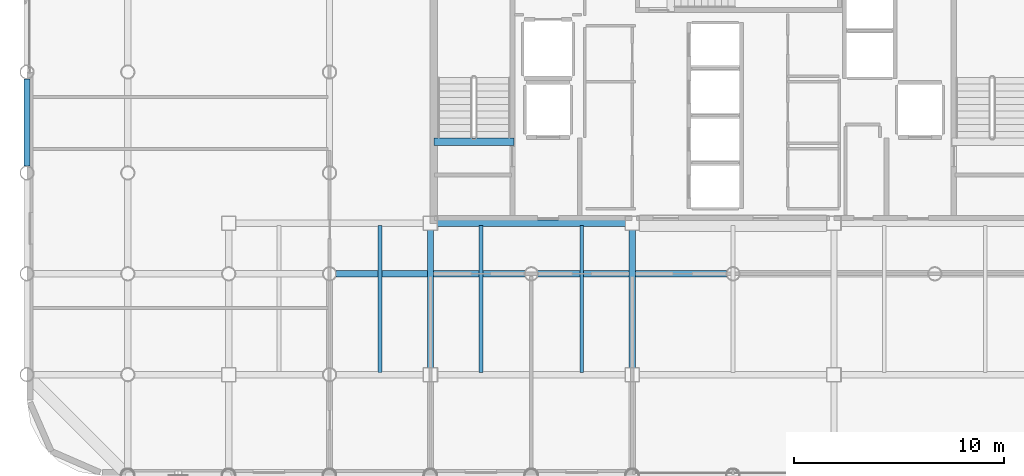
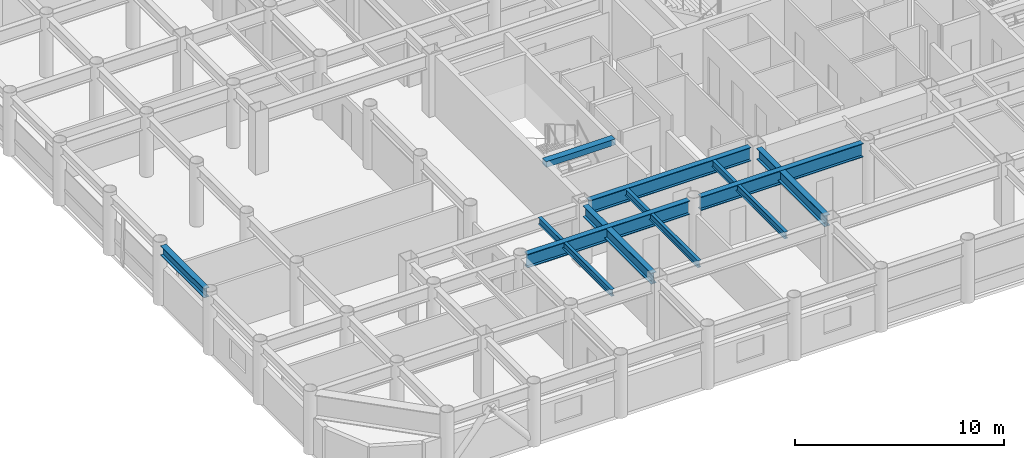
# One storey, part 3 of 19: 10 beams.
"""IFC4 building model written with IfcOpenShell, lengths in metres."""

from ifc_helpers import new_model, si_unit, direction, frame, origin, origin_2d, place, context, subcontext, project, spatial, rectangle, i_section, extrude, material, material_profile, profile_set, type_object, element, save


model = new_model("IFC4")

# Units and contexts
model_context = context("Model", 3, precision=1e-05, world=origin(), true_north=direction((0.0, 1.0)))
body_context = subcontext(model_context, "Body", "Model", "MODEL_VIEW")
ifc_project = project(units=[si_unit("LENGTHUNIT", "METRE"), si_unit("AREAUNIT", "SQUARE_METRE"), si_unit("VOLUMEUNIT", "CUBIC_METRE"), si_unit("PLANEANGLEUNIT", "RADIAN"), si_unit("MASSUNIT", "GRAM", prefix="KILO")], contexts=[model_context])

# Site, building, storey
site_placement = place(None, origin())
site = spatial("IfcSite", under=ifc_project, at=site_placement, CompositionType="ELEMENT")
building_placement = place(site_placement, origin())
building = spatial("IfcBuilding", under=site, at=building_placement, Name="Kallvorn Hotel Tower", CompositionType="ELEMENT")
storey_placement = place(building_placement, frame((0.0, 0.0, 147.0)))
storey = spatial("IfcBuildingStorey", under=building, at=storey_placement, Name="L36", CompositionType="ELEMENT", Elevation=147.0)

# Beams
ifc_material_1 = material(Name="Structural steel S355JR", Category="steel")
ifc_material_profile_1 = material_profile(ifc_material_1, i_section(OverallWidth=0.300048828125, OverallDepth=0.550048828125, WebThickness=0.014892578125, FlangeThickness=0.029052734375, at=origin_2d()), Name="HE 550 B")
ifc_profile_set_1 = profile_set([ifc_material_profile_1], Name="Structural steel S355JR")
beam_type_1 = type_object("IfcBeamType", Name="BM_HE550B", PredefinedType="SPANDREL", material=ifc_profile_set_1)
beam_1_placement = place(storey_placement, frame((-33.60009765625, -4.47998046875, 3.2451171875), z_axis=(0.0, 1.0, 0.0), x_axis=(-1.0, 0.0, 0.0)))
element("IfcBeam", 1, at=beam_1_placement, inside=storey, type_object=beam_type_1, Name="L37 Perimeter Spandrel 176", PredefinedType="SPANDREL", context=body_context, shape_type="SweptSolid", body=[
    extrude(i_section(OverallWidth=0.300048828125, OverallDepth=0.550048828125, WebThickness=0.014892578125, FlangeThickness=0.029052734375, at=origin_2d()), origin(), (0.0, 0.0, 1.0), 4.159912109375),
])
ifc_material_2 = material(Name="Structural steel S355JR", Category="steel")
ifc_material_profile_2 = material_profile(ifc_material_2, i_section(OverallWidth=0.300048828125, OverallDepth=0.64990234375, WebThickness=0.01611328125, FlangeThickness=0.031005859375, at=origin_2d()), Name="HE 650 B")
ifc_profile_set_2 = profile_set([ifc_material_profile_2], Name="Structural steel S355JR")
beam_type_2 = type_object("IfcBeamType", Name="BM_HE650B", PredefinedType="BEAM", material=ifc_profile_set_2)
for number, where, z_axis, x_axis, name in (
    (2, (-14.39990234375, -14.074951171875, 3.195068359375), (0.0, 1.0, 0.0), (-1.0, 0.0, 0.0), "L37 Primary Y-Girder 99"),
    (3, (-4.800048828125, -14.074951171875, 3.195068359375), (0.0, 1.0, 0.0), (-1.0, 0.0, 0.0), "L37 Primary Y-Girder 107"),
):
    element("IfcBeam", number, at=place(storey_placement, frame(where, z_axis=z_axis, x_axis=x_axis)), inside=storey, type_object=beam_type_2, Name=name, PredefinedType="BEAM", context=body_context, shape_type="SweptSolid", body=[
        extrude(i_section(OverallWidth=0.300048828125, OverallDepth=0.64990234375, WebThickness=0.01611328125, FlangeThickness=0.031005859375, at=origin_2d()), origin(), (0.0, 0.0, 1.0), 6.550048828125),
    ])
ifc_material_3 = material(Name="Structural steel S355JR", Category="steel")
ifc_material_profile_3 = material_profile(ifc_material_3, i_section(OverallWidth=0.300048828125, OverallDepth=0.800048828125, WebThickness=0.017578125, FlangeThickness=0.032958984375, at=origin_2d()), Name="HE 800 B")
ifc_profile_set_3 = profile_set([ifc_material_profile_3], Name="Structural steel S355JR")
beam_type_3 = type_object("IfcBeamType", Name="BM_HE800B", PredefinedType="BEAM", material=ifc_profile_set_3)
for number, where, z_axis, x_axis, name in (
    (4, (-18.89501953125, -9.60009765625, 3.1201171875), (1.0, 0.0, 0.0), (0.0, 1.0, 0.0), "L37 Primary X-Girder 26"),
    (5, (-9.294921875, -9.60009765625, 3.1201171875), (1.0, 0.0, 0.0), (0.0, 1.0, 0.0), "L37 Primary X-Girder 27"),
):
    element("IfcBeam", number, at=place(storey_placement, frame(where, z_axis=z_axis, x_axis=x_axis)), inside=storey, type_object=beam_type_3, Name=name, PredefinedType="BEAM", context=body_context, shape_type="SweptSolid", body=[
        extrude(i_section(OverallWidth=0.300048828125, OverallDepth=0.800048828125, WebThickness=0.017578125, FlangeThickness=0.032958984375, at=origin_2d()), origin(), (0.0, 0.0, 1.0), 8.989990234375),
    ])
beam_2_placement = place(storey_placement, frame((-14.074951171875, -7.199951171875, 3.1201171875), z_axis=(1.0, 0.0, 0.0), x_axis=(0.0, 1.0, 0.0)))
element("IfcBeam", 6, at=beam_2_placement, inside=storey, type_object=beam_type_3, Name="L37 Primary X-Girder 33", PredefinedType="BEAM", context=body_context, shape_type="SweptSolid", body=[
    extrude(i_section(OverallWidth=0.300048828125, OverallDepth=0.800048828125, WebThickness=0.017578125, FlangeThickness=0.032958984375, at=origin_2d()), origin(), (0.0, 0.0, 1.0), 8.949951171875),
])
ifc_material_4 = material(Name="Structural steel S355JR", Category="steel")
ifc_material_profile_4 = material_profile(ifc_material_4, i_section(OverallWidth=0.179931640625, OverallDepth=0.39990234375, WebThickness=0.008544921875, FlangeThickness=0.013427734375, at=origin_2d()), Name="IPE 400")
ifc_profile_set_4 = profile_set([ifc_material_profile_4], Name="Structural steel S355JR")
beam_type_4 = type_object("IfcBeamType", Name="BM_IPE400", PredefinedType="JOIST", material=ifc_profile_set_4)
for number, where, z_axis, x_axis, name in (
    (7, (-16.800048828125, -14.300048828125, 3.320068359375), (0.0, 1.0, 0.0), (-1.0, 0.0, 0.0), "L37 Secondary Composite Joist 194"),
    (8, (-12.0, -14.300048828125, 3.320068359375), (0.0, 1.0, 0.0), (-1.0, 0.0, 0.0), "L37 Secondary Composite Joist 196"),
    (9, (-7.199951171875, -14.300048828125, 3.320068359375), (0.0, 1.0, 0.0), (-1.0, 0.0, 0.0), "L37 Secondary Composite Joist 198"),
):
    element("IfcBeam", number, at=place(storey_placement, frame(where, z_axis=z_axis, x_axis=x_axis)), inside=storey, type_object=beam_type_4, Name=name, PredefinedType="JOIST", context=body_context, shape_type="SweptSolid", body=[
        extrude(i_section(OverallWidth=0.179931640625, OverallDepth=0.39990234375, WebThickness=0.008544921875, FlangeThickness=0.013427734375, at=origin_2d()), origin(), (0.0, 0.0, 1.0), 7.0),
    ])
ifc_material_5 = material(Name="Concrete C50/60", Category="concrete")
ifc_material_profile_5 = material_profile(ifc_material_5, rectangle(XDim=0.360107421875, YDim=0.340087890625, at=origin_2d()), Name="RC 360x340")
ifc_profile_set_5 = profile_set([ifc_material_profile_5], Name="Concrete C50/60")
beam_type_5 = type_object("IfcBeamType", Name="BM_RC_400x360", PredefinedType="BEAM", material=ifc_profile_set_5)
beam_3_placement = place(storey_placement, frame((-10.419921875, -3.31005859375, 3.35009765625), z_axis=(-1.0, 0.0, 0.0), x_axis=(0.0, -1.0, 0.0)))
element("IfcBeam", 10, at=beam_3_placement, inside=storey, type_object=beam_type_5, Name="L37 Stair ST1 Arrival Trimmer Beam", PredefinedType="BEAM", context=body_context, shape_type="SweptSolid", body=[
    extrude(rectangle(XDim=0.360107421875, YDim=0.340087890625, at=origin_2d()), origin(), (0.0, 0.0, 1.0), 3.820068359375),
])

save(model, "model.ifc")
